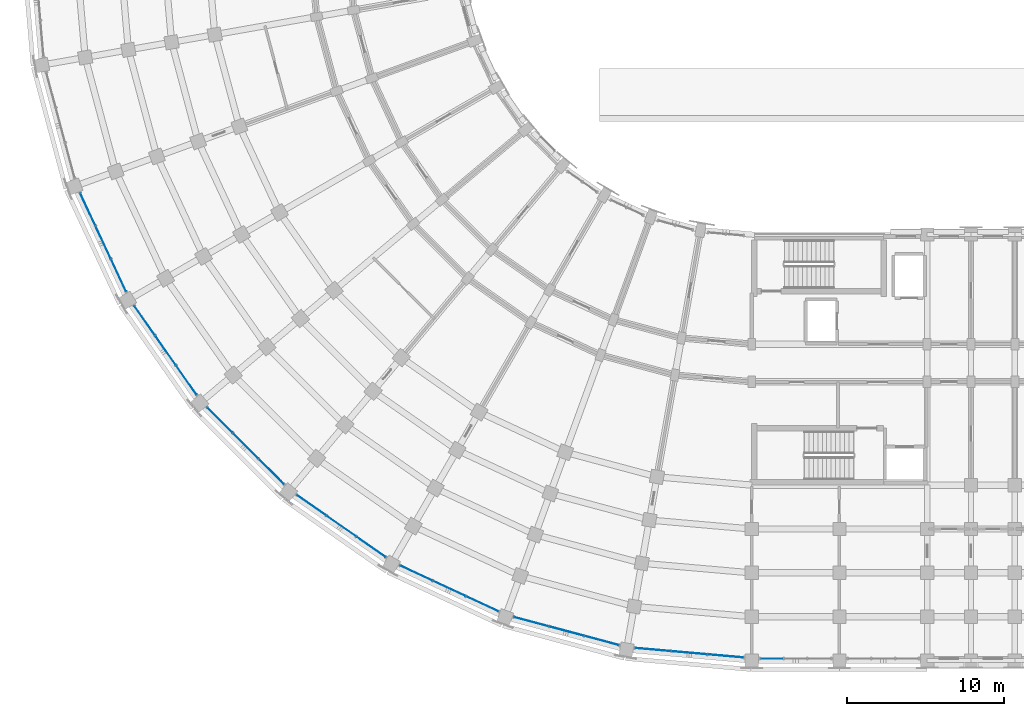
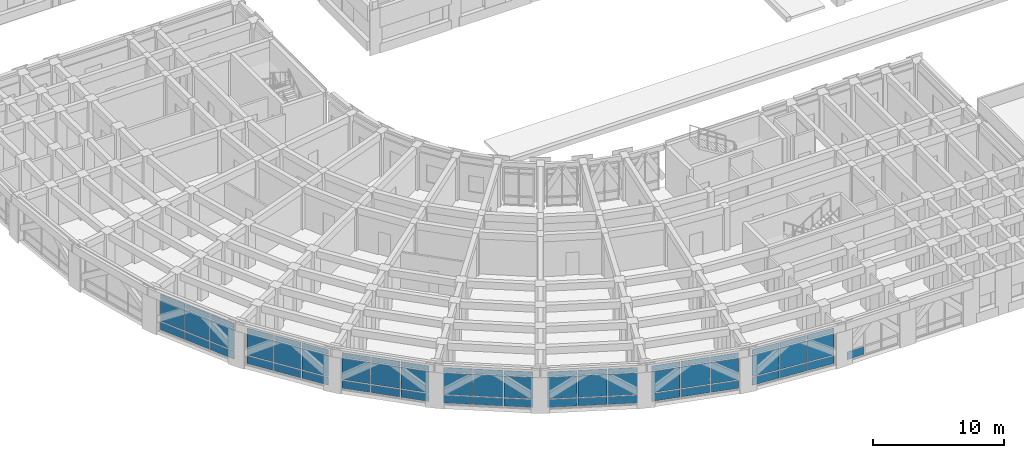
# One storey, part 41 of 97: 64 plates, 8 elements without a shape of their own.
"""IFC4 building model written with IfcOpenShell, lengths in metres."""

from ifc_helpers import new_model, si_unit, direction, frame, origin, origin_2d, place, context, subcontext, project, spatial, rectangle, extrude, material, layer, layer_set, type_object, element, aggregate, save


model = new_model("IFC4")

# Units and contexts
model_context = context("Model", 3, precision=1e-05, world=origin(), true_north=direction((0.0, 1.0)))
body_context = subcontext(model_context, "Body", "Model", "MODEL_VIEW")
ifc_project = project(units=[si_unit("LENGTHUNIT", "METRE"), si_unit("AREAUNIT", "SQUARE_METRE"), si_unit("VOLUMEUNIT", "CUBIC_METRE"), si_unit("PLANEANGLEUNIT", "RADIAN"), si_unit("MASSUNIT", "GRAM", prefix="KILO")], contexts=[model_context])

# Site, building, storey
site_placement = place(None, origin())
site = spatial("IfcSite", under=ifc_project, at=site_placement, CompositionType="ELEMENT")
building_placement = place(site_placement, origin())
building = spatial("IfcBuilding", under=site, at=building_placement, Name="Kiranvali Square Residences", CompositionType="ELEMENT")
storey_placement = place(building_placement, frame((0.0, 0.0, 4.5)))
storey = spatial("IfcBuildingStorey", under=building, at=storey_placement, Name="L01", CompositionType="ELEMENT", Elevation=4.5)

# Curtain wall, plates
ifc_material_1 = material(Name="Anodised bronze aluminium framing", Category="aluminium")
curtain_wall_type = type_object("IfcCurtainWallType", Name="CW-RET-SHOP", PredefinedType="USERDEFINED", material=ifc_material_1)
curtain_wall_1_placement = place(storey_placement, origin())
curtain_wall_1 = element("IfcCurtainWall", 1, at=curtain_wall_1_placement, inside=storey, type_object=curtain_wall_type, Name="Block C L01 rounded-corner arcade curtain wall 1", ObjectType="CURTAIN WALL", PredefinedType="USERDEFINED")
ifc_material_2 = material(Name="Solar-control low-e double glazing", Category="glass")
ifc_layer_1 = layer(ifc_material_2, 0.028076171875)
ifc_layer_set_1 = layer_set([ifc_layer_1], Name="Solar-control low-e double glazing")
plate_type_1 = type_object("IfcPlateType", Name="PLT-CW-GLZ", PredefinedType="CURTAIN_PANEL", material=ifc_layer_set_1)
plate_1_placement = place(storey_placement, frame((46.52978515625, 2.49658203125, 0.889892578125), z_axis=(0.0, 0.0, 1.0), x_axis=(-0.996194698092, 0.087155742748, 0.0)))
plate_1 = element("IfcPlate", 2, at=plate_1_placement, type_object=plate_type_1, Name="CW-C-L01-CRV-00 glazed panel 1.2", PredefinedType="CURTAIN_PANEL", context=body_context, shape_type="SweptSolid", body=[
    extrude(rectangle(XDim=2.239501953125, YDim=0.028076171875, at=origin_2d()), origin(), (0.0, 0.0, 1.0), 2.0),
])
plate_2_placement = place(storey_placement, frame((46.52978515625, 2.49658203125, 2.97021484375), z_axis=(0.0, 0.0, 1.0), x_axis=(-0.996194698092, 0.087155742748, 0.0)))
plate_2 = element("IfcPlate", 3, at=plate_2_placement, type_object=plate_type_1, Name="CW-C-L01-CRV-00 glazed panel 1.3", PredefinedType="CURTAIN_PANEL", context=body_context, shape_type="SweptSolid", body=[
    extrude(rectangle(XDim=2.239501953125, YDim=0.028076171875, at=origin_2d()), origin(), (0.0, 0.0, 1.0), 0.429931640625),
])
plate_3_placement = place(storey_placement, frame((44.21923828125, 2.69873046875, 0.889892578125), z_axis=(0.0, 0.0, 1.0), x_axis=(-0.996194698092, 0.087155742748, 0.0)))
plate_3 = element("IfcPlate", 4, at=plate_3_placement, type_object=plate_type_1, Name="CW-C-L01-CRV-00 glazed panel 2.2", PredefinedType="CURTAIN_PANEL", context=body_context, shape_type="SweptSolid", body=[
    extrude(rectangle(XDim=2.239501953125, YDim=0.028076171875, at=origin_2d()), origin(), (0.0, 0.0, 1.0), 2.0),
])
plate_4_placement = place(storey_placement, frame((44.21923828125, 2.69873046875, 2.97021484375), z_axis=(0.0, 0.0, 1.0), x_axis=(-0.996194698092, 0.087155742748, 0.0)))
plate_4 = element("IfcPlate", 5, at=plate_4_placement, type_object=plate_type_1, Name="CW-C-L01-CRV-00 glazed panel 2.3", PredefinedType="CURTAIN_PANEL", context=body_context, shape_type="SweptSolid", body=[
    extrude(rectangle(XDim=2.239501953125, YDim=0.028076171875, at=origin_2d()), origin(), (0.0, 0.0, 1.0), 0.429931640625),
])
plate_5_placement = place(storey_placement, frame((41.908447265625, 2.90087890625, 0.889892578125), z_axis=(0.0, 0.0, 1.0), x_axis=(-0.996194698092, 0.087155742748, 0.0)))
plate_5 = element("IfcPlate", 6, at=plate_5_placement, type_object=plate_type_1, Name="CW-C-L01-CRV-00 glazed panel 3.2", PredefinedType="CURTAIN_PANEL", context=body_context, shape_type="SweptSolid", body=[
    extrude(rectangle(XDim=2.239501953125, YDim=0.028076171875, at=origin_2d()), origin(), (0.0, 0.0, 1.0), 2.0),
])
plate_6_placement = place(storey_placement, frame((41.908447265625, 2.90087890625, 2.97021484375), z_axis=(0.0, 0.0, 1.0), x_axis=(-0.996194698092, 0.087155742748, 0.0)))
plate_6 = element("IfcPlate", 7, at=plate_6_placement, type_object=plate_type_1, Name="CW-C-L01-CRV-00 glazed panel 3.3", PredefinedType="CURTAIN_PANEL", context=body_context, shape_type="SweptSolid", body=[
    extrude(rectangle(XDim=2.239501953125, YDim=0.028076171875, at=origin_2d()), origin(), (0.0, 0.0, 1.0), 0.429931640625),
])

curtain_wall_2_placement = place(storey_placement, origin())
curtain_wall_2 = element("IfcCurtainWall", 8, at=curtain_wall_2_placement, inside=storey, type_object=curtain_wall_type, Name="Block C L01 rounded-corner arcade curtain wall 2", ObjectType="CURTAIN WALL", PredefinedType="USERDEFINED")
plate_7_placement = place(storey_placement, frame((38.618896484375, 3.48095703125, 0.889892578125), z_axis=(0.0, 0.0, 1.0), x_axis=(-0.965925826289, 0.258819045103, 0.0)))
plate_7 = element("IfcPlate", 9, at=plate_7_placement, type_object=plate_type_1, Name="CW-C-L01-CRV-01 glazed panel 1.2", PredefinedType="CURTAIN_PANEL", context=body_context, shape_type="SweptSolid", body=[
    extrude(rectangle(XDim=2.239501953125, YDim=0.028076171875, at=origin_2d()), origin(), (0.0, 0.0, 1.0), 2.0),
])
plate_8_placement = place(storey_placement, frame((38.618896484375, 3.48095703125, 2.97021484375), z_axis=(0.0, 0.0, 1.0), x_axis=(-0.965925826289, 0.258819045103, 0.0)))
plate_8 = element("IfcPlate", 10, at=plate_8_placement, type_object=plate_type_1, Name="CW-C-L01-CRV-01 glazed panel 1.3", PredefinedType="CURTAIN_PANEL", context=body_context, shape_type="SweptSolid", body=[
    extrude(rectangle(XDim=2.239501953125, YDim=0.028076171875, at=origin_2d()), origin(), (0.0, 0.0, 1.0), 0.429931640625),
])
plate_9_placement = place(storey_placement, frame((36.37841796875, 4.081298828125, 0.889892578125), z_axis=(0.0, 0.0, 1.0), x_axis=(-0.965925826289, 0.258819045103, 0.0)))
plate_9 = element("IfcPlate", 11, at=plate_9_placement, type_object=plate_type_1, Name="CW-C-L01-CRV-01 glazed panel 2.2", PredefinedType="CURTAIN_PANEL", context=body_context, shape_type="SweptSolid", body=[
    extrude(rectangle(XDim=2.239501953125, YDim=0.028076171875, at=origin_2d()), origin(), (0.0, 0.0, 1.0), 2.0),
])
plate_10_placement = place(storey_placement, frame((36.37841796875, 4.081298828125, 2.97021484375), z_axis=(0.0, 0.0, 1.0), x_axis=(-0.965925826289, 0.258819045103, 0.0)))
plate_10 = element("IfcPlate", 12, at=plate_10_placement, type_object=plate_type_1, Name="CW-C-L01-CRV-01 glazed panel 2.3", PredefinedType="CURTAIN_PANEL", context=body_context, shape_type="SweptSolid", body=[
    extrude(rectangle(XDim=2.239501953125, YDim=0.028076171875, at=origin_2d()), origin(), (0.0, 0.0, 1.0), 0.429931640625),
])
plate_11_placement = place(storey_placement, frame((34.137939453125, 4.681640625, 0.889892578125), z_axis=(0.0, 0.0, 1.0), x_axis=(-0.965925826289, 0.258819045103, 0.0)))
plate_11 = element("IfcPlate", 13, at=plate_11_placement, type_object=plate_type_1, Name="CW-C-L01-CRV-01 glazed panel 3.2", PredefinedType="CURTAIN_PANEL", context=body_context, shape_type="SweptSolid", body=[
    extrude(rectangle(XDim=2.239501953125, YDim=0.028076171875, at=origin_2d()), origin(), (0.0, 0.0, 1.0), 2.0),
])
plate_12_placement = place(storey_placement, frame((34.137939453125, 4.681640625, 2.97021484375), z_axis=(0.0, 0.0, 1.0), x_axis=(-0.965925826289, 0.258819045103, 0.0)))
plate_12 = element("IfcPlate", 14, at=plate_12_placement, type_object=plate_type_1, Name="CW-C-L01-CRV-01 glazed panel 3.3", PredefinedType="CURTAIN_PANEL", context=body_context, shape_type="SweptSolid", body=[
    extrude(rectangle(XDim=2.239501953125, YDim=0.028076171875, at=origin_2d()), origin(), (0.0, 0.0, 1.0), 0.429931640625),
])

curtain_wall_3_placement = place(storey_placement, origin())
curtain_wall_3 = element("IfcCurtainWall", 15, at=curtain_wall_3_placement, inside=storey, type_object=curtain_wall_type, Name="Block C L01 rounded-corner arcade curtain wall 3", ObjectType="CURTAIN WALL", PredefinedType="USERDEFINED")
plate_13_placement = place(storey_placement, frame((30.9990234375, 5.82421875, 0.889892578125), z_axis=(0.0, 0.0, 1.0), x_axis=(-0.906307787037, 0.422618261741, 0.0)))
plate_13 = element("IfcPlate", 16, at=plate_13_placement, type_object=plate_type_1, Name="CW-C-L01-CRV-02 glazed panel 1.2", PredefinedType="CURTAIN_PANEL", context=body_context, shape_type="SweptSolid", body=[
    extrude(rectangle(XDim=2.239501953125, YDim=0.028076171875, at=origin_2d()), origin(), (0.0, 0.0, 1.0), 2.0),
])
plate_14_placement = place(storey_placement, frame((30.9990234375, 5.82421875, 2.97021484375), z_axis=(0.0, 0.0, 1.0), x_axis=(-0.906307787037, 0.422618261741, 0.0)))
plate_14 = element("IfcPlate", 17, at=plate_14_placement, type_object=plate_type_1, Name="CW-C-L01-CRV-02 glazed panel 1.3", PredefinedType="CURTAIN_PANEL", context=body_context, shape_type="SweptSolid", body=[
    extrude(rectangle(XDim=2.239501953125, YDim=0.028076171875, at=origin_2d()), origin(), (0.0, 0.0, 1.0), 0.429931640625),
])
plate_15_placement = place(storey_placement, frame((28.89697265625, 6.804443359375, 0.889892578125), z_axis=(0.0, 0.0, 1.0), x_axis=(-0.906307787037, 0.422618261741, 0.0)))
plate_15 = element("IfcPlate", 18, at=plate_15_placement, type_object=plate_type_1, Name="CW-C-L01-CRV-02 glazed panel 2.2", PredefinedType="CURTAIN_PANEL", context=body_context, shape_type="SweptSolid", body=[
    extrude(rectangle(XDim=2.239501953125, YDim=0.028076171875, at=origin_2d()), origin(), (0.0, 0.0, 1.0), 2.0),
])
plate_16_placement = place(storey_placement, frame((28.89697265625, 6.804443359375, 2.97021484375), z_axis=(0.0, 0.0, 1.0), x_axis=(-0.906307787037, 0.422618261741, 0.0)))
plate_16 = element("IfcPlate", 19, at=plate_16_placement, type_object=plate_type_1, Name="CW-C-L01-CRV-02 glazed panel 2.3", PredefinedType="CURTAIN_PANEL", context=body_context, shape_type="SweptSolid", body=[
    extrude(rectangle(XDim=2.239501953125, YDim=0.028076171875, at=origin_2d()), origin(), (0.0, 0.0, 1.0), 0.429931640625),
])
plate_17_placement = place(storey_placement, frame((26.794921875, 7.78466796875, 0.889892578125), z_axis=(0.0, 0.0, 1.0), x_axis=(-0.906307787037, 0.422618261741, 0.0)))
plate_17 = element("IfcPlate", 20, at=plate_17_placement, type_object=plate_type_1, Name="CW-C-L01-CRV-02 glazed panel 3.2", PredefinedType="CURTAIN_PANEL", context=body_context, shape_type="SweptSolid", body=[
    extrude(rectangle(XDim=2.239501953125, YDim=0.028076171875, at=origin_2d()), origin(), (0.0, 0.0, 1.0), 2.0),
])
plate_18_placement = place(storey_placement, frame((26.794921875, 7.78466796875, 2.97021484375), z_axis=(0.0, 0.0, 1.0), x_axis=(-0.906307787037, 0.422618261741, 0.0)))
plate_18 = element("IfcPlate", 21, at=plate_18_placement, type_object=plate_type_1, Name="CW-C-L01-CRV-02 glazed panel 3.3", PredefinedType="CURTAIN_PANEL", context=body_context, shape_type="SweptSolid", body=[
    extrude(rectangle(XDim=2.239501953125, YDim=0.028076171875, at=origin_2d()), origin(), (0.0, 0.0, 1.0), 0.429931640625),
])

curtain_wall_4_placement = place(storey_placement, origin())
curtain_wall_4 = element("IfcCurtainWall", 22, at=curtain_wall_4_placement, inside=storey, type_object=curtain_wall_type, Name="Block C L01 rounded-corner arcade curtain wall 4", ObjectType="CURTAIN WALL", PredefinedType="USERDEFINED")
plate_19_placement = place(storey_placement, frame((23.90185546875, 9.454833984375, 0.889892578125), z_axis=(0.0, 0.0, 1.0), x_axis=(-0.819152044289, 0.573576436351, 0.0)))
plate_19 = element("IfcPlate", 23, at=plate_19_placement, type_object=plate_type_1, Name="CW-C-L01-CRV-03 glazed panel 1.2", PredefinedType="CURTAIN_PANEL", context=body_context, shape_type="SweptSolid", body=[
    extrude(rectangle(XDim=2.239501953125, YDim=0.028076171875, at=origin_2d()), origin(), (0.0, 0.0, 1.0), 2.0),
])
plate_20_placement = place(storey_placement, frame((23.90185546875, 9.454833984375, 2.97021484375), z_axis=(0.0, 0.0, 1.0), x_axis=(-0.819152044289, 0.573576436351, 0.0)))
plate_20 = element("IfcPlate", 24, at=plate_20_placement, type_object=plate_type_1, Name="CW-C-L01-CRV-03 glazed panel 1.3", PredefinedType="CURTAIN_PANEL", context=body_context, shape_type="SweptSolid", body=[
    extrude(rectangle(XDim=2.239501953125, YDim=0.028076171875, at=origin_2d()), origin(), (0.0, 0.0, 1.0), 0.429931640625),
])
plate_21_placement = place(storey_placement, frame((22.001953125, 10.78515625, 0.889892578125), z_axis=(0.0, 0.0, 1.0), x_axis=(-0.819152044289, 0.573576436351, 0.0)))
plate_21 = element("IfcPlate", 25, at=plate_21_placement, type_object=plate_type_1, Name="CW-C-L01-CRV-03 glazed panel 2.2", PredefinedType="CURTAIN_PANEL", context=body_context, shape_type="SweptSolid", body=[
    extrude(rectangle(XDim=2.239501953125, YDim=0.028076171875, at=origin_2d()), origin(), (0.0, 0.0, 1.0), 2.0),
])
plate_22_placement = place(storey_placement, frame((22.001953125, 10.78515625, 2.97021484375), z_axis=(0.0, 0.0, 1.0), x_axis=(-0.819152044289, 0.573576436351, 0.0)))
plate_22 = element("IfcPlate", 26, at=plate_22_placement, type_object=plate_type_1, Name="CW-C-L01-CRV-03 glazed panel 2.3", PredefinedType="CURTAIN_PANEL", context=body_context, shape_type="SweptSolid", body=[
    extrude(rectangle(XDim=2.239501953125, YDim=0.028076171875, at=origin_2d()), origin(), (0.0, 0.0, 1.0), 0.429931640625),
])
plate_23_placement = place(storey_placement, frame((20.10205078125, 12.11572265625, 0.889892578125), z_axis=(0.0, 0.0, 1.0), x_axis=(-0.819152044289, 0.573576436351, 0.0)))
plate_23 = element("IfcPlate", 27, at=plate_23_placement, type_object=plate_type_1, Name="CW-C-L01-CRV-03 glazed panel 3.2", PredefinedType="CURTAIN_PANEL", context=body_context, shape_type="SweptSolid", body=[
    extrude(rectangle(XDim=2.239501953125, YDim=0.028076171875, at=origin_2d()), origin(), (0.0, 0.0, 1.0), 2.0),
])
plate_24_placement = place(storey_placement, frame((20.10205078125, 12.11572265625, 2.97021484375), z_axis=(0.0, 0.0, 1.0), x_axis=(-0.819152044289, 0.573576436351, 0.0)))
plate_24 = element("IfcPlate", 28, at=plate_24_placement, type_object=plate_type_1, Name="CW-C-L01-CRV-03 glazed panel 3.3", PredefinedType="CURTAIN_PANEL", context=body_context, shape_type="SweptSolid", body=[
    extrude(rectangle(XDim=2.239501953125, YDim=0.028076171875, at=origin_2d()), origin(), (0.0, 0.0, 1.0), 0.429931640625),
])

curtain_wall_5_placement = place(storey_placement, origin())
curtain_wall_5 = element("IfcCurtainWall", 29, at=curtain_wall_5_placement, inside=storey, type_object=curtain_wall_type, Name="Block C L01 rounded-corner arcade curtain wall 5", ObjectType="CURTAIN WALL", PredefinedType="USERDEFINED")
plate_25_placement = place(storey_placement, frame((17.54296875, 14.262939453125, 0.889892578125), z_axis=(0.0, 0.0, 1.0), x_axis=(-0.707106781187, 0.707106781187, 0.0)))
plate_25 = element("IfcPlate", 30, at=plate_25_placement, type_object=plate_type_1, Name="CW-C-L01-CRV-04 glazed panel 1.2", PredefinedType="CURTAIN_PANEL", context=body_context, shape_type="SweptSolid", body=[
    extrude(rectangle(XDim=2.239501953125, YDim=0.028076171875, at=origin_2d()), origin(), (0.0, 0.0, 1.0), 2.0),
])
plate_26_placement = place(storey_placement, frame((17.54296875, 14.262939453125, 2.97021484375), z_axis=(0.0, 0.0, 1.0), x_axis=(-0.707106781187, 0.707106781187, 0.0)))
plate_26 = element("IfcPlate", 31, at=plate_26_placement, type_object=plate_type_1, Name="CW-C-L01-CRV-04 glazed panel 1.3", PredefinedType="CURTAIN_PANEL", context=body_context, shape_type="SweptSolid", body=[
    extrude(rectangle(XDim=2.239501953125, YDim=0.028076171875, at=origin_2d()), origin(), (0.0, 0.0, 1.0), 0.429931640625),
])
plate_27_placement = place(storey_placement, frame((15.90283203125, 15.90283203125, 0.889892578125), z_axis=(0.0, 0.0, 1.0), x_axis=(-0.707106781187, 0.707106781187, 0.0)))
plate_27 = element("IfcPlate", 32, at=plate_27_placement, type_object=plate_type_1, Name="CW-C-L01-CRV-04 glazed panel 2.2", PredefinedType="CURTAIN_PANEL", context=body_context, shape_type="SweptSolid", body=[
    extrude(rectangle(XDim=2.239501953125, YDim=0.028076171875, at=origin_2d()), origin(), (0.0, 0.0, 1.0), 2.0),
])
plate_28_placement = place(storey_placement, frame((15.90283203125, 15.90283203125, 2.97021484375), z_axis=(0.0, 0.0, 1.0), x_axis=(-0.707106781187, 0.707106781187, 0.0)))
plate_28 = element("IfcPlate", 33, at=plate_28_placement, type_object=plate_type_1, Name="CW-C-L01-CRV-04 glazed panel 2.3", PredefinedType="CURTAIN_PANEL", context=body_context, shape_type="SweptSolid", body=[
    extrude(rectangle(XDim=2.239501953125, YDim=0.028076171875, at=origin_2d()), origin(), (0.0, 0.0, 1.0), 0.429931640625),
])
plate_29_placement = place(storey_placement, frame((14.262939453125, 17.54296875, 0.889892578125), z_axis=(0.0, 0.0, 1.0), x_axis=(-0.707106781187, 0.707106781187, 0.0)))
plate_29 = element("IfcPlate", 34, at=plate_29_placement, type_object=plate_type_1, Name="CW-C-L01-CRV-04 glazed panel 3.2", PredefinedType="CURTAIN_PANEL", context=body_context, shape_type="SweptSolid", body=[
    extrude(rectangle(XDim=2.239501953125, YDim=0.028076171875, at=origin_2d()), origin(), (0.0, 0.0, 1.0), 2.0),
])
plate_30_placement = place(storey_placement, frame((14.262939453125, 17.54296875, 2.97021484375), z_axis=(0.0, 0.0, 1.0), x_axis=(-0.707106781187, 0.707106781187, 0.0)))
plate_30 = element("IfcPlate", 35, at=plate_30_placement, type_object=plate_type_1, Name="CW-C-L01-CRV-04 glazed panel 3.3", PredefinedType="CURTAIN_PANEL", context=body_context, shape_type="SweptSolid", body=[
    extrude(rectangle(XDim=2.239501953125, YDim=0.028076171875, at=origin_2d()), origin(), (0.0, 0.0, 1.0), 0.429931640625),
])

curtain_wall_6_placement = place(storey_placement, origin())
curtain_wall_6 = element("IfcCurtainWall", 36, at=curtain_wall_6_placement, inside=storey, type_object=curtain_wall_type, Name="Block C L01 rounded-corner arcade curtain wall 6", ObjectType="CURTAIN WALL", PredefinedType="USERDEFINED")
plate_31_placement = place(storey_placement, frame((12.11572265625, 20.10205078125, 0.889892578125), z_axis=(0.0, 0.0, 1.0), x_axis=(-0.573576436351, 0.819152044289, 0.0)))
plate_31 = element("IfcPlate", 37, at=plate_31_placement, type_object=plate_type_1, Name="CW-C-L01-CRV-05 glazed panel 1.2", PredefinedType="CURTAIN_PANEL", context=body_context, shape_type="SweptSolid", body=[
    extrude(rectangle(XDim=2.239501953125, YDim=0.028076171875, at=origin_2d()), origin(), (0.0, 0.0, 1.0), 2.0),
])
plate_32_placement = place(storey_placement, frame((12.11572265625, 20.10205078125, 2.97021484375), z_axis=(0.0, 0.0, 1.0), x_axis=(-0.573576436351, 0.819152044289, 0.0)))
plate_32 = element("IfcPlate", 38, at=plate_32_placement, type_object=plate_type_1, Name="CW-C-L01-CRV-05 glazed panel 1.3", PredefinedType="CURTAIN_PANEL", context=body_context, shape_type="SweptSolid", body=[
    extrude(rectangle(XDim=2.239501953125, YDim=0.028076171875, at=origin_2d()), origin(), (0.0, 0.0, 1.0), 0.429931640625),
])
plate_33_placement = place(storey_placement, frame((10.78515625, 22.001953125, 0.889892578125), z_axis=(0.0, 0.0, 1.0), x_axis=(-0.573576436351, 0.819152044289, 0.0)))
plate_33 = element("IfcPlate", 39, at=plate_33_placement, type_object=plate_type_1, Name="CW-C-L01-CRV-05 glazed panel 2.2", PredefinedType="CURTAIN_PANEL", context=body_context, shape_type="SweptSolid", body=[
    extrude(rectangle(XDim=2.239501953125, YDim=0.028076171875, at=origin_2d()), origin(), (0.0, 0.0, 1.0), 2.0),
])
plate_34_placement = place(storey_placement, frame((10.78515625, 22.001953125, 2.97021484375), z_axis=(0.0, 0.0, 1.0), x_axis=(-0.573576436351, 0.819152044289, 0.0)))
plate_34 = element("IfcPlate", 40, at=plate_34_placement, type_object=plate_type_1, Name="CW-C-L01-CRV-05 glazed panel 2.3", PredefinedType="CURTAIN_PANEL", context=body_context, shape_type="SweptSolid", body=[
    extrude(rectangle(XDim=2.239501953125, YDim=0.028076171875, at=origin_2d()), origin(), (0.0, 0.0, 1.0), 0.429931640625),
])
plate_35_placement = place(storey_placement, frame((9.454833984375, 23.90185546875, 0.889892578125), z_axis=(0.0, 0.0, 1.0), x_axis=(-0.573576436351, 0.819152044289, 0.0)))
plate_35 = element("IfcPlate", 41, at=plate_35_placement, type_object=plate_type_1, Name="CW-C-L01-CRV-05 glazed panel 3.2", PredefinedType="CURTAIN_PANEL", context=body_context, shape_type="SweptSolid", body=[
    extrude(rectangle(XDim=2.239501953125, YDim=0.028076171875, at=origin_2d()), origin(), (0.0, 0.0, 1.0), 2.0),
])
plate_36_placement = place(storey_placement, frame((9.454833984375, 23.90185546875, 2.97021484375), z_axis=(0.0, 0.0, 1.0), x_axis=(-0.573576436351, 0.819152044289, 0.0)))
plate_36 = element("IfcPlate", 42, at=plate_36_placement, type_object=plate_type_1, Name="CW-C-L01-CRV-05 glazed panel 3.3", PredefinedType="CURTAIN_PANEL", context=body_context, shape_type="SweptSolid", body=[
    extrude(rectangle(XDim=2.239501953125, YDim=0.028076171875, at=origin_2d()), origin(), (0.0, 0.0, 1.0), 0.429931640625),
])

curtain_wall_7_placement = place(storey_placement, origin())
curtain_wall_7 = element("IfcCurtainWall", 43, at=curtain_wall_7_placement, inside=storey, type_object=curtain_wall_type, Name="Block C L01 rounded-corner arcade curtain wall 7", ObjectType="CURTAIN WALL", PredefinedType="USERDEFINED")
plate_37_placement = place(storey_placement, frame((7.78466796875, 26.794921875, 0.889892578125), z_axis=(0.0, 0.0, 1.0), x_axis=(-0.422618261741, 0.906307787037, 0.0)))
plate_37 = element("IfcPlate", 44, at=plate_37_placement, type_object=plate_type_1, Name="CW-C-L01-CRV-06 glazed panel 1.2", PredefinedType="CURTAIN_PANEL", context=body_context, shape_type="SweptSolid", body=[
    extrude(rectangle(XDim=2.239501953125, YDim=0.028076171875, at=origin_2d()), origin(), (0.0, 0.0, 1.0), 2.0),
])
plate_38_placement = place(storey_placement, frame((7.78466796875, 26.794921875, 2.97021484375), z_axis=(0.0, 0.0, 1.0), x_axis=(-0.422618261741, 0.906307787037, 0.0)))
plate_38 = element("IfcPlate", 45, at=plate_38_placement, type_object=plate_type_1, Name="CW-C-L01-CRV-06 glazed panel 1.3", PredefinedType="CURTAIN_PANEL", context=body_context, shape_type="SweptSolid", body=[
    extrude(rectangle(XDim=2.239501953125, YDim=0.028076171875, at=origin_2d()), origin(), (0.0, 0.0, 1.0), 0.429931640625),
])
plate_39_placement = place(storey_placement, frame((6.804443359375, 28.89697265625, 0.889892578125), z_axis=(0.0, 0.0, 1.0), x_axis=(-0.422618261741, 0.906307787037, 0.0)))
plate_39 = element("IfcPlate", 46, at=plate_39_placement, type_object=plate_type_1, Name="CW-C-L01-CRV-06 glazed panel 2.2", PredefinedType="CURTAIN_PANEL", context=body_context, shape_type="SweptSolid", body=[
    extrude(rectangle(XDim=2.239501953125, YDim=0.028076171875, at=origin_2d()), origin(), (0.0, 0.0, 1.0), 2.0),
])
plate_40_placement = place(storey_placement, frame((6.804443359375, 28.89697265625, 2.97021484375), z_axis=(0.0, 0.0, 1.0), x_axis=(-0.422618261741, 0.906307787037, 0.0)))
plate_40 = element("IfcPlate", 47, at=plate_40_placement, type_object=plate_type_1, Name="CW-C-L01-CRV-06 glazed panel 2.3", PredefinedType="CURTAIN_PANEL", context=body_context, shape_type="SweptSolid", body=[
    extrude(rectangle(XDim=2.239501953125, YDim=0.028076171875, at=origin_2d()), origin(), (0.0, 0.0, 1.0), 0.429931640625),
])
plate_41_placement = place(storey_placement, frame((5.82421875, 30.9990234375, 0.889892578125), z_axis=(0.0, 0.0, 1.0), x_axis=(-0.422618261741, 0.906307787037, 0.0)))
plate_41 = element("IfcPlate", 48, at=plate_41_placement, type_object=plate_type_1, Name="CW-C-L01-CRV-06 glazed panel 3.2", PredefinedType="CURTAIN_PANEL", context=body_context, shape_type="SweptSolid", body=[
    extrude(rectangle(XDim=2.239501953125, YDim=0.028076171875, at=origin_2d()), origin(), (0.0, 0.0, 1.0), 2.0),
])
plate_42_placement = place(storey_placement, frame((5.82421875, 30.9990234375, 2.97021484375), z_axis=(0.0, 0.0, 1.0), x_axis=(-0.422618261741, 0.906307787037, 0.0)))
plate_42 = element("IfcPlate", 49, at=plate_42_placement, type_object=plate_type_1, Name="CW-C-L01-CRV-06 glazed panel 3.3", PredefinedType="CURTAIN_PANEL", context=body_context, shape_type="SweptSolid", body=[
    extrude(rectangle(XDim=2.239501953125, YDim=0.028076171875, at=origin_2d()), origin(), (0.0, 0.0, 1.0), 0.429931640625),
])

# Plate
ifc_material_3 = material(Name="Honed Porbandar limestone ashlar facade cladding", Category="masonry")
ifc_layer_2 = layer(ifc_material_3, 0.02392578125)
ifc_layer_set_2 = layer_set([ifc_layer_2], Name="Honed Porbandar limestone ashlar facade cladding")
plate_type_2 = type_object("IfcPlateType", Name="PLT-CW-SPN", PredefinedType="SHEET", material=ifc_layer_set_2)
plate_43_placement = place(storey_placement, frame((46.52978515625, 2.49658203125, 0.080078125), z_axis=(0.0, 0.0, 1.0), x_axis=(-0.996194698092, 0.087155742748, 0.0)))
plate_43 = element("IfcPlate", 50, at=plate_43_placement, type_object=plate_type_2, Name="CW-C-L01-CRV-00 spandrel panel 1.1", PredefinedType="SHEET", context=body_context, shape_type="SweptSolid", body=[
    extrude(rectangle(XDim=2.239501953125, YDim=0.02392578125, at=origin_2d()), origin(), (0.0, 0.0, 1.0), 0.72998046875),
])

plate_44_placement = place(storey_placement, frame((44.21923828125, 2.69873046875, 0.080078125), z_axis=(0.0, 0.0, 1.0), x_axis=(-0.996194698092, 0.087155742748, 0.0)))
plate_44 = element("IfcPlate", 51, at=plate_44_placement, type_object=plate_type_2, Name="CW-C-L01-CRV-00 spandrel panel 2.1", PredefinedType="SHEET", context=body_context, shape_type="SweptSolid", body=[
    extrude(rectangle(XDim=2.239501953125, YDim=0.02392578125, at=origin_2d()), origin(), (0.0, 0.0, 1.0), 0.72998046875),
])

plate_45_placement = place(storey_placement, frame((41.908447265625, 2.90087890625, 0.080078125), z_axis=(0.0, 0.0, 1.0), x_axis=(-0.996194698092, 0.087155742748, 0.0)))
plate_45 = element("IfcPlate", 52, at=plate_45_placement, type_object=plate_type_2, Name="CW-C-L01-CRV-00 spandrel panel 3.1", PredefinedType="SHEET", context=body_context, shape_type="SweptSolid", body=[
    extrude(rectangle(XDim=2.239501953125, YDim=0.02392578125, at=origin_2d()), origin(), (0.0, 0.0, 1.0), 0.72998046875),
])

aggregate(curtain_wall_1, [plate_43, plate_1, plate_2, plate_44, plate_3, plate_4, plate_45, plate_5, plate_6])

plate_46_placement = place(storey_placement, frame((38.618896484375, 3.48095703125, 0.080078125), z_axis=(0.0, 0.0, 1.0), x_axis=(-0.965925826289, 0.258819045103, 0.0)))
plate_46 = element("IfcPlate", 53, at=plate_46_placement, type_object=plate_type_2, Name="CW-C-L01-CRV-01 spandrel panel 1.1", PredefinedType="SHEET", context=body_context, shape_type="SweptSolid", body=[
    extrude(rectangle(XDim=2.239501953125, YDim=0.02392578125, at=origin_2d()), origin(), (0.0, 0.0, 1.0), 0.72998046875),
])

plate_47_placement = place(storey_placement, frame((36.37841796875, 4.081298828125, 0.080078125), z_axis=(0.0, 0.0, 1.0), x_axis=(-0.965925826289, 0.258819045103, 0.0)))
plate_47 = element("IfcPlate", 54, at=plate_47_placement, type_object=plate_type_2, Name="CW-C-L01-CRV-01 spandrel panel 2.1", PredefinedType="SHEET", context=body_context, shape_type="SweptSolid", body=[
    extrude(rectangle(XDim=2.239501953125, YDim=0.02392578125, at=origin_2d()), origin(), (0.0, 0.0, 1.0), 0.72998046875),
])

plate_48_placement = place(storey_placement, frame((34.137939453125, 4.681640625, 0.080078125), z_axis=(0.0, 0.0, 1.0), x_axis=(-0.965925826289, 0.258819045103, 0.0)))
plate_48 = element("IfcPlate", 55, at=plate_48_placement, type_object=plate_type_2, Name="CW-C-L01-CRV-01 spandrel panel 3.1", PredefinedType="SHEET", context=body_context, shape_type="SweptSolid", body=[
    extrude(rectangle(XDim=2.239501953125, YDim=0.02392578125, at=origin_2d()), origin(), (0.0, 0.0, 1.0), 0.72998046875),
])

aggregate(curtain_wall_2, [plate_46, plate_7, plate_8, plate_47, plate_9, plate_10, plate_48, plate_11, plate_12])

plate_49_placement = place(storey_placement, frame((30.9990234375, 5.82421875, 0.080078125), z_axis=(0.0, 0.0, 1.0), x_axis=(-0.906307787037, 0.422618261741, 0.0)))
plate_49 = element("IfcPlate", 56, at=plate_49_placement, type_object=plate_type_2, Name="CW-C-L01-CRV-02 spandrel panel 1.1", PredefinedType="SHEET", context=body_context, shape_type="SweptSolid", body=[
    extrude(rectangle(XDim=2.239501953125, YDim=0.02392578125, at=origin_2d()), origin(), (0.0, 0.0, 1.0), 0.72998046875),
])

plate_50_placement = place(storey_placement, frame((28.89697265625, 6.804443359375, 0.080078125), z_axis=(0.0, 0.0, 1.0), x_axis=(-0.906307787037, 0.422618261741, 0.0)))
plate_50 = element("IfcPlate", 57, at=plate_50_placement, type_object=plate_type_2, Name="CW-C-L01-CRV-02 spandrel panel 2.1", PredefinedType="SHEET", context=body_context, shape_type="SweptSolid", body=[
    extrude(rectangle(XDim=2.239501953125, YDim=0.02392578125, at=origin_2d()), origin(), (0.0, 0.0, 1.0), 0.72998046875),
])

plate_51_placement = place(storey_placement, frame((26.794921875, 7.78466796875, 0.080078125), z_axis=(0.0, 0.0, 1.0), x_axis=(-0.906307787037, 0.422618261741, 0.0)))
plate_51 = element("IfcPlate", 58, at=plate_51_placement, type_object=plate_type_2, Name="CW-C-L01-CRV-02 spandrel panel 3.1", PredefinedType="SHEET", context=body_context, shape_type="SweptSolid", body=[
    extrude(rectangle(XDim=2.239501953125, YDim=0.02392578125, at=origin_2d()), origin(), (0.0, 0.0, 1.0), 0.72998046875),
])

aggregate(curtain_wall_3, [plate_49, plate_13, plate_14, plate_50, plate_15, plate_16, plate_51, plate_17, plate_18])

plate_52_placement = place(storey_placement, frame((23.90185546875, 9.454833984375, 0.080078125), z_axis=(0.0, 0.0, 1.0), x_axis=(-0.819152044289, 0.573576436351, 0.0)))
plate_52 = element("IfcPlate", 59, at=plate_52_placement, type_object=plate_type_2, Name="CW-C-L01-CRV-03 spandrel panel 1.1", PredefinedType="SHEET", context=body_context, shape_type="SweptSolid", body=[
    extrude(rectangle(XDim=2.239501953125, YDim=0.02392578125, at=origin_2d()), origin(), (0.0, 0.0, 1.0), 0.72998046875),
])

plate_53_placement = place(storey_placement, frame((22.001953125, 10.78515625, 0.080078125), z_axis=(0.0, 0.0, 1.0), x_axis=(-0.819152044289, 0.573576436351, 0.0)))
plate_53 = element("IfcPlate", 60, at=plate_53_placement, type_object=plate_type_2, Name="CW-C-L01-CRV-03 spandrel panel 2.1", PredefinedType="SHEET", context=body_context, shape_type="SweptSolid", body=[
    extrude(rectangle(XDim=2.239501953125, YDim=0.02392578125, at=origin_2d()), origin(), (0.0, 0.0, 1.0), 0.72998046875),
])

plate_54_placement = place(storey_placement, frame((20.10205078125, 12.11572265625, 0.080078125), z_axis=(0.0, 0.0, 1.0), x_axis=(-0.819152044289, 0.573576436351, 0.0)))
plate_54 = element("IfcPlate", 61, at=plate_54_placement, type_object=plate_type_2, Name="CW-C-L01-CRV-03 spandrel panel 3.1", PredefinedType="SHEET", context=body_context, shape_type="SweptSolid", body=[
    extrude(rectangle(XDim=2.239501953125, YDim=0.02392578125, at=origin_2d()), origin(), (0.0, 0.0, 1.0), 0.72998046875),
])

aggregate(curtain_wall_4, [plate_52, plate_19, plate_20, plate_53, plate_21, plate_22, plate_54, plate_23, plate_24])

plate_55_placement = place(storey_placement, frame((17.54296875, 14.262939453125, 0.080078125), z_axis=(0.0, 0.0, 1.0), x_axis=(-0.707106781187, 0.707106781187, 0.0)))
plate_55 = element("IfcPlate", 62, at=plate_55_placement, type_object=plate_type_2, Name="CW-C-L01-CRV-04 spandrel panel 1.1", PredefinedType="SHEET", context=body_context, shape_type="SweptSolid", body=[
    extrude(rectangle(XDim=2.239501953125, YDim=0.02392578125, at=origin_2d()), origin(), (0.0, 0.0, 1.0), 0.72998046875),
])

plate_56_placement = place(storey_placement, frame((15.90283203125, 15.90283203125, 0.080078125), z_axis=(0.0, 0.0, 1.0), x_axis=(-0.707106781187, 0.707106781187, 0.0)))
plate_56 = element("IfcPlate", 63, at=plate_56_placement, type_object=plate_type_2, Name="CW-C-L01-CRV-04 spandrel panel 2.1", PredefinedType="SHEET", context=body_context, shape_type="SweptSolid", body=[
    extrude(rectangle(XDim=2.239501953125, YDim=0.02392578125, at=origin_2d()), origin(), (0.0, 0.0, 1.0), 0.72998046875),
])

plate_57_placement = place(storey_placement, frame((14.262939453125, 17.54296875, 0.080078125), z_axis=(0.0, 0.0, 1.0), x_axis=(-0.707106781187, 0.707106781187, 0.0)))
plate_57 = element("IfcPlate", 64, at=plate_57_placement, type_object=plate_type_2, Name="CW-C-L01-CRV-04 spandrel panel 3.1", PredefinedType="SHEET", context=body_context, shape_type="SweptSolid", body=[
    extrude(rectangle(XDim=2.239501953125, YDim=0.02392578125, at=origin_2d()), origin(), (0.0, 0.0, 1.0), 0.72998046875),
])

aggregate(curtain_wall_5, [plate_55, plate_25, plate_26, plate_56, plate_27, plate_28, plate_57, plate_29, plate_30])

plate_58_placement = place(storey_placement, frame((12.11572265625, 20.10205078125, 0.080078125), z_axis=(0.0, 0.0, 1.0), x_axis=(-0.573576436351, 0.819152044289, 0.0)))
plate_58 = element("IfcPlate", 65, at=plate_58_placement, type_object=plate_type_2, Name="CW-C-L01-CRV-05 spandrel panel 1.1", PredefinedType="SHEET", context=body_context, shape_type="SweptSolid", body=[
    extrude(rectangle(XDim=2.239501953125, YDim=0.02392578125, at=origin_2d()), origin(), (0.0, 0.0, 1.0), 0.72998046875),
])

plate_59_placement = place(storey_placement, frame((10.78515625, 22.001953125, 0.080078125), z_axis=(0.0, 0.0, 1.0), x_axis=(-0.573576436351, 0.819152044289, 0.0)))
plate_59 = element("IfcPlate", 66, at=plate_59_placement, type_object=plate_type_2, Name="CW-C-L01-CRV-05 spandrel panel 2.1", PredefinedType="SHEET", context=body_context, shape_type="SweptSolid", body=[
    extrude(rectangle(XDim=2.239501953125, YDim=0.02392578125, at=origin_2d()), origin(), (0.0, 0.0, 1.0), 0.72998046875),
])

plate_60_placement = place(storey_placement, frame((9.454833984375, 23.90185546875, 0.080078125), z_axis=(0.0, 0.0, 1.0), x_axis=(-0.573576436351, 0.819152044289, 0.0)))
plate_60 = element("IfcPlate", 67, at=plate_60_placement, type_object=plate_type_2, Name="CW-C-L01-CRV-05 spandrel panel 3.1", PredefinedType="SHEET", context=body_context, shape_type="SweptSolid", body=[
    extrude(rectangle(XDim=2.239501953125, YDim=0.02392578125, at=origin_2d()), origin(), (0.0, 0.0, 1.0), 0.72998046875),
])

aggregate(curtain_wall_6, [plate_58, plate_31, plate_32, plate_59, plate_33, plate_34, plate_60, plate_35, plate_36])

plate_61_placement = place(storey_placement, frame((7.78466796875, 26.794921875, 0.080078125), z_axis=(0.0, 0.0, 1.0), x_axis=(-0.422618261741, 0.906307787037, 0.0)))
plate_61 = element("IfcPlate", 68, at=plate_61_placement, type_object=plate_type_2, Name="CW-C-L01-CRV-06 spandrel panel 1.1", PredefinedType="SHEET", context=body_context, shape_type="SweptSolid", body=[
    extrude(rectangle(XDim=2.239501953125, YDim=0.02392578125, at=origin_2d()), origin(), (0.0, 0.0, 1.0), 0.72998046875),
])

plate_62_placement = place(storey_placement, frame((6.804443359375, 28.89697265625, 0.080078125), z_axis=(0.0, 0.0, 1.0), x_axis=(-0.422618261741, 0.906307787037, 0.0)))
plate_62 = element("IfcPlate", 69, at=plate_62_placement, type_object=plate_type_2, Name="CW-C-L01-CRV-06 spandrel panel 2.1", PredefinedType="SHEET", context=body_context, shape_type="SweptSolid", body=[
    extrude(rectangle(XDim=2.239501953125, YDim=0.02392578125, at=origin_2d()), origin(), (0.0, 0.0, 1.0), 0.72998046875),
])

plate_63_placement = place(storey_placement, frame((5.82421875, 30.9990234375, 0.080078125), z_axis=(0.0, 0.0, 1.0), x_axis=(-0.422618261741, 0.906307787037, 0.0)))
plate_63 = element("IfcPlate", 70, at=plate_63_placement, type_object=plate_type_2, Name="CW-C-L01-CRV-06 spandrel panel 3.1", PredefinedType="SHEET", context=body_context, shape_type="SweptSolid", body=[
    extrude(rectangle(XDim=2.239501953125, YDim=0.02392578125, at=origin_2d()), origin(), (0.0, 0.0, 1.0), 0.72998046875),
])

aggregate(curtain_wall_7, [plate_61, plate_37, plate_38, plate_62, plate_39, plate_40, plate_63, plate_41, plate_42])

# Curtain wall, plate
curtain_wall_8_placement = place(storey_placement, origin())
curtain_wall_8 = element("IfcCurtainWall", 71, at=curtain_wall_8_placement, inside=storey, type_object=curtain_wall_type, Name="L01 curtain wall CW-C-L01-A1-0", ObjectType="CURTAIN WALL", PredefinedType="USERDEFINED")
plate_64_placement = place(storey_placement, frame((49.486572265625, 2.320068359375, 0.080078125), z_axis=(0.0, 0.0, 1.0), x_axis=(1.0, 0.0, 0.0)))
plate_64 = element("IfcPlate", 72, at=plate_64_placement, type_object=plate_type_2, Name="CW-C-L01-A1-0 spandrel panel 1.1", PredefinedType="SHEET", context=body_context, shape_type="SweptSolid", body=[
    extrude(rectangle(XDim=1.433349609375, YDim=0.02392578125, at=origin_2d()), origin(), (0.0, 0.0, 1.0), 0.72998046875),
])
aggregate(curtain_wall_8, [plate_64])

save(model, "model.ifc")
